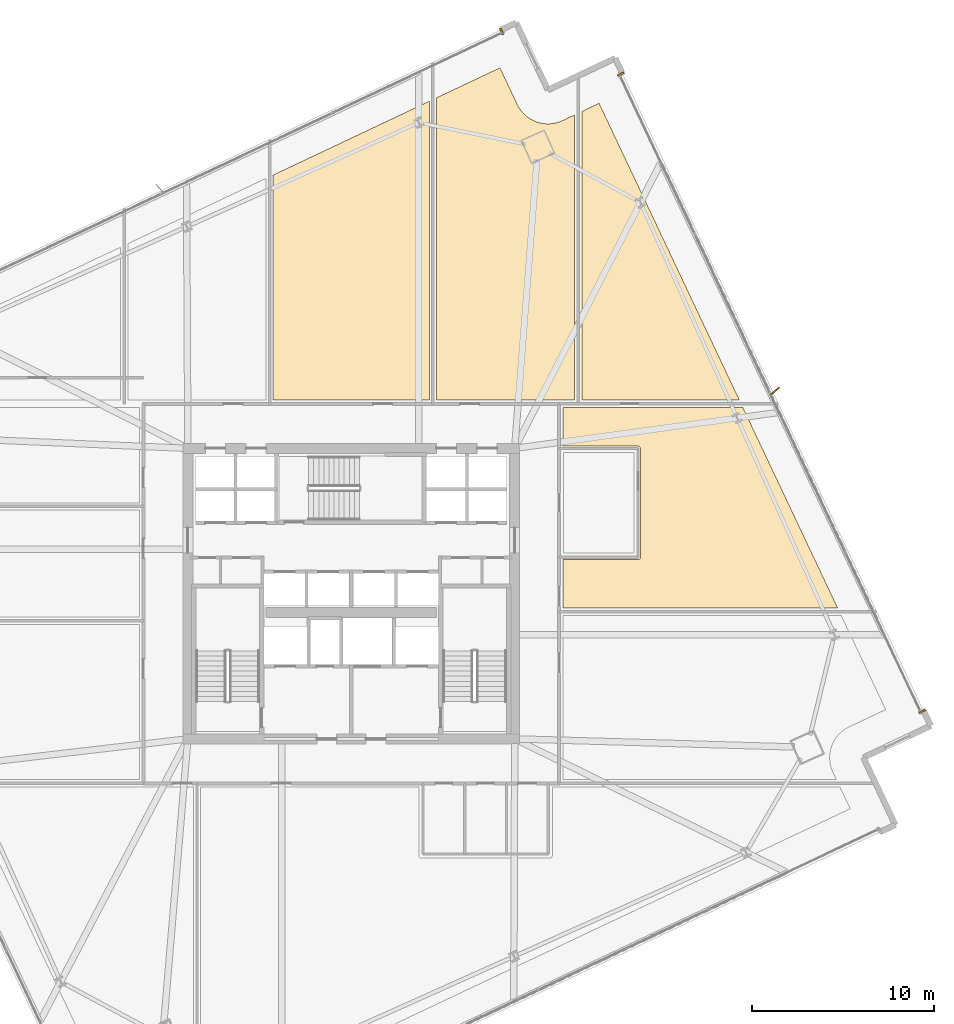
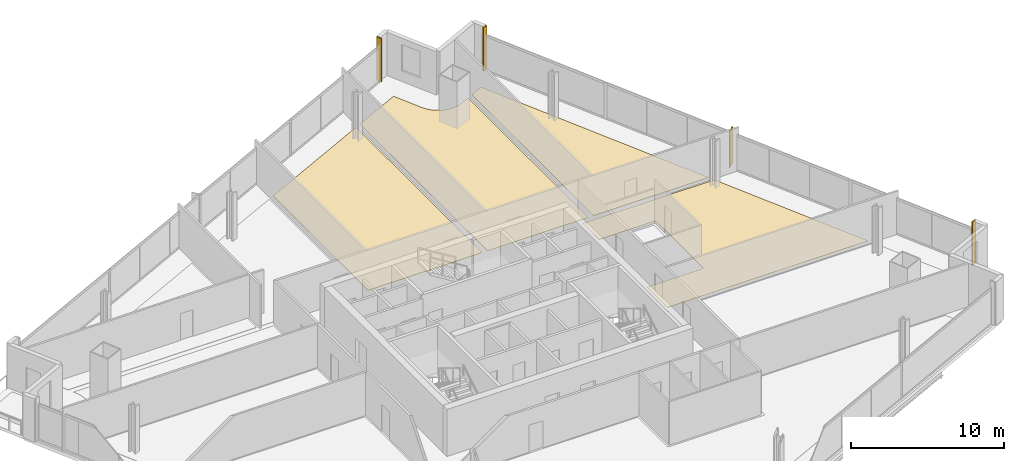
# One storey, part 34 of 34: 7 coverings, 1 shading device.
"""IFC4 building model written with IfcOpenShell, lengths in metres."""

from ifc_helpers import new_model, si_unit, direction, frame, origin, origin_2d, place, context, subcontext, project, spatial, polyline, rectangle, outline, extrude, source, transform, mapped, material, layer, layer_set, type_object, element, save


model = new_model("IFC4")

# Units and contexts
model_context = context("Model", 3, precision=1e-05, world=origin(), true_north=direction((0.0, 1.0)))
body_context = subcontext(model_context, "Body", "Model", "MODEL_VIEW")
ifc_project = project(units=[si_unit("LENGTHUNIT", "METRE"), si_unit("AREAUNIT", "SQUARE_METRE"), si_unit("VOLUMEUNIT", "CUBIC_METRE"), si_unit("PLANEANGLEUNIT", "RADIAN"), si_unit("MASSUNIT", "GRAM", prefix="KILO")], contexts=[model_context])

# Site, building, storey
site_placement = place(None, origin())
site = spatial("IfcSite", under=ifc_project, at=site_placement, CompositionType="ELEMENT")
building_placement = place(site_placement, origin())
building = spatial("IfcBuilding", under=site, at=building_placement, Name="Haldenkirk Collegiate Tower", CompositionType="ELEMENT")
storey_placement = place(building_placement, frame((0.0, 0.0, 112.949951171875)))
storey = spatial("IfcBuildingStorey", under=building, at=storey_placement, Name="L27", CompositionType="ELEMENT", Elevation=112.949951171875)

# Coverings
ifc_material_1 = material(Name="Polished collegiate terrazzo", Category="concrete")
ifc_layer_1 = layer(ifc_material_1, 0.02490234375)
ifc_layer_set_1 = layer_set([ifc_layer_1], Name="Polished collegiate terrazzo")
covering_type_1 = type_object("IfcCoveringType", Name="COV-FLOOR-TERRAZZO", PredefinedType="FLOORING", material=ifc_layer_set_1)
covering_1_placement = place(storey_placement, origin())
element("IfcCovering", 1, at=covering_1_placement, inside=storey, type_object=covering_type_1, Name="L27 academic room finish 06", PredefinedType="FLOORING", context=body_context, shape_type="SweptSolid", body=[
    extrude(outline(polyline([(40.300048828125, 53.11865234375), (40.300048828125, 36.64990234375), (31.699951171875, 36.64990234375), (31.699951171875, 49.0537109375), (40.300048828125, 53.11865234375)])), origin(), (0.0, 0.0, 1.0), 0.025146484375),
])
covering_2_placement = place(storey_placement, origin())
element("IfcCovering", 2, at=covering_2_placement, inside=storey, type_object=covering_type_1, Name="L27 academic room finish 08", PredefinedType="FLOORING", context=body_context, shape_type="SweptSolid", body=[
    extrude(outline(polyline([(49.649169921875, 53.003173828125), (57.37939453125, 36.64990234375), (48.699951171875, 36.64990234375), (48.699951171875, 52.554443359375), (49.649169921875, 53.003173828125)])), origin(), (0.0, 0.0, 1.0), 0.025146484375),
])
ifc_material_2 = material(Name="Engineered collegiate oak acoustic flooring", Category="wood")
ifc_layer_2 = layer(ifc_material_2, 0.02197265625)
ifc_layer_set_2 = layer_set([ifc_layer_2], Name="Engineered collegiate oak acoustic flooring")
covering_type_2 = type_object("IfcCoveringType", Name="COV-FLOOR-TIMBER", PredefinedType="FLOORING", material=ifc_layer_set_2)
covering_3_placement = place(storey_placement, origin())
element("IfcCovering", 3, at=covering_3_placement, inside=storey, type_object=covering_type_2, Name="L27 academic room finish 07", PredefinedType="FLOORING", context=body_context, shape_type="SweptSolid", body=[
    extrude(outline(polyline([(44.190185546875, 54.957763671875), (45.143310546875, 52.941650390625), (45.14599609375, 52.936279296875), (45.226806640625, 52.784912109375), (45.23291015625, 52.77490234375), (45.328125, 52.632080078125), (45.335205078125, 52.622314453125), (45.4443359375, 52.48974609375), (45.4521484375, 52.481201171875), (45.573486328125, 52.359619140625), (45.582275390625, 52.351806640625), (45.71484375, 52.24267578125), (45.724365234375, 52.235595703125), (45.8671875, 52.14013671875), (45.877197265625, 52.13427734375), (46.02880859375, 52.05322265625), (46.039306640625, 52.048095703125), (46.197998046875, 51.982421875), (46.208984375, 51.978515625), (46.373291015625, 51.928466796875), (46.385009765625, 51.925537109375), (46.55322265625, 51.89208984375), (46.56494140625, 51.890380859375), (46.73583984375, 51.87353515625), (46.74755859375, 51.872802734375), (46.91943359375, 51.872802734375), (46.93115234375, 51.87353515625), (47.10205078125, 51.890380859375), (47.11376953125, 51.89208984375), (47.281982421875, 51.925537109375), (47.29345703125, 51.928466796875), (47.4580078125, 51.978271484375), (47.468994140625, 51.982177734375), (47.627685546875, 52.0478515625), (47.633056640625, 52.05029296875), (48.300048828125, 52.365478515625), (48.300048828125, 36.64990234375), (40.699951171875, 36.64990234375), (40.699951171875, 53.307861328125), (44.190185546875, 54.957763671875)])), origin(), (0.0, 0.0, 1.0), 0.02197265625),
])
covering_4_placement = place(storey_placement, origin())
element("IfcCovering", 4, at=covering_4_placement, inside=storey, type_object=covering_type_2, Name="L27 academic room finish 13", PredefinedType="FLOORING", context=body_context, shape_type="SweptSolid", body=[
    extrude(outline(polyline([(51.800048828125, 27.8798828125), (51.811767578125, 27.880615234375), (51.823486328125, 27.88232421875), (51.834716796875, 27.88525390625), (51.845947265625, 27.88916015625), (51.856689453125, 27.894287109375), (51.86669921875, 27.900146484375), (51.876220703125, 27.9072265625), (51.885009765625, 27.9150390625), (51.892822265625, 27.923828125), (51.89990234375, 27.933349609375), (51.90576171875, 27.943359375), (51.910888671875, 27.9541015625), (51.914794921875, 27.965087890625), (51.917724609375, 27.9765625), (51.91943359375, 27.98828125), (51.919921875, 28.0), (51.919921875, 34.0), (51.91943359375, 34.01171875), (51.917724609375, 34.0234375), (51.914794921875, 34.034912109375), (51.910888671875, 34.0458984375), (51.90576171875, 34.056640625), (51.89990234375, 34.066650390625), (51.892822265625, 34.076171875), (51.885009765625, 34.0849609375), (51.876220703125, 34.0927734375), (51.86669921875, 34.099853515625), (51.856689453125, 34.105712890625), (51.845947265625, 34.11083984375), (51.834716796875, 34.11474609375), (51.823486328125, 34.11767578125), (51.811767578125, 34.119384765625), (51.800048828125, 34.1201171875), (47.64990234375, 34.1201171875), (47.64990234375, 36.25), (57.568359375, 36.25), (62.79150390625, 25.199951171875), (47.64990234375, 25.199951171875), (47.64990234375, 27.8798828125), (51.800048828125, 27.8798828125)])), origin(), (0.0, 0.0, 1.0), 0.02197265625),
])
ifc_material_3 = material(Name="Anodised architectural bronze aluminium", Category="aluminium")
ifc_layer_3 = layer(ifc_material_3, 0.06005859375)
ifc_layer_set_3 = layer_set([ifc_layer_3], Name="Anodised architectural bronze aluminium")
covering_type_3 = type_object("IfcCoveringType", Name="COV-CLAD-BRONZE-60", PredefinedType="CLADDING", material=ifc_layer_set_3)
shared_shape_1 = source(origin(), body_context, "Body", "SweptSolid", [
    extrude(rectangle(XDim=0.10009765625, YDim=0.3798828125, at=origin_2d()), origin(), (0.0, 0.0, 1.0), 3.449951171875),
])
for number, where, z_axis, x_axis, name in (
    (5, (50.856689453125, 54.61376953125, 0.0), (0.0, 0.0, 1.0), (0.427357863387, -0.904082549661, 0.0), "L27 recessed curtain-wall bronze jamb closure EJL"),
    (6, (67.444580078125, 19.521728515625, 0.0), (0.0, 0.0, 1.0), (0.427357863387, -0.904082549661, 0.0), "L27 recessed curtain-wall bronze jamb closure EJR"),
    (7, (44.279296875, 56.96875, 0.0), (0.0, 0.0, 1.0), (0.904082549661, 0.427357863387, 0.0), "L27 recessed curtain-wall bronze jamb closure NJR"),
):
    element("IfcCovering", number, at=place(storey_placement, frame(where, z_axis=z_axis, x_axis=x_axis)), inside=storey, type_object=covering_type_3, Name=name, PredefinedType="CLADDING", context=body_context, shape_type="MappedRepresentation", body=[
        mapped(shared_shape_1, transform((0.0, 0.0, 0.0), x_axis=(1.0, 0.0, 0.0), y_axis=(0.0, 1.0, 0.0), z_axis=(0.0, 0.0, 1.0), scale=1.0)),
    ])

# Shading device
ifc_layer_4 = layer(ifc_material_3, 0.06494140625)
ifc_layer_set_4 = layer_set([ifc_layer_4], Name="Anodised architectural bronze aluminium")
shading_device_type = type_object("IfcShadingDeviceType", Name="SHD-FIN-BRONZE-620", PredefinedType="USERDEFINED", material=ifc_layer_set_4)
shared_shape_2 = source(origin(), body_context, "Body", "SweptSolid", [
    extrude(rectangle(XDim=0.6201171875, YDim=0.06494140625, at=origin_2d()), origin(), (0.0, 0.0, 1.0), 2.90087890625),
])
shading_device_placement = place(storey_placement, frame((59.336181640625, 37.155517578125, 0.0), z_axis=(0.0, 0.0, 1.0), x_axis=(0.751264133504, 0.660001667961, 0.0)))
element("IfcShadingDevice", 8, at=shading_device_placement, inside=storey, type_object=shading_device_type, Name="L27 folded bronze solar fin 1", ObjectType="FIN", PredefinedType="USERDEFINED", context=body_context, shape_type="MappedRepresentation", body=[
    mapped(shared_shape_2, transform((0.0, 0.0, 0.0), x_axis=(1.0, 0.0, 0.0), y_axis=(0.0, 1.0, 0.0), z_axis=(0.0, 0.0, 1.0), scale=1.0)),
])

save(model, "model.ifc")
